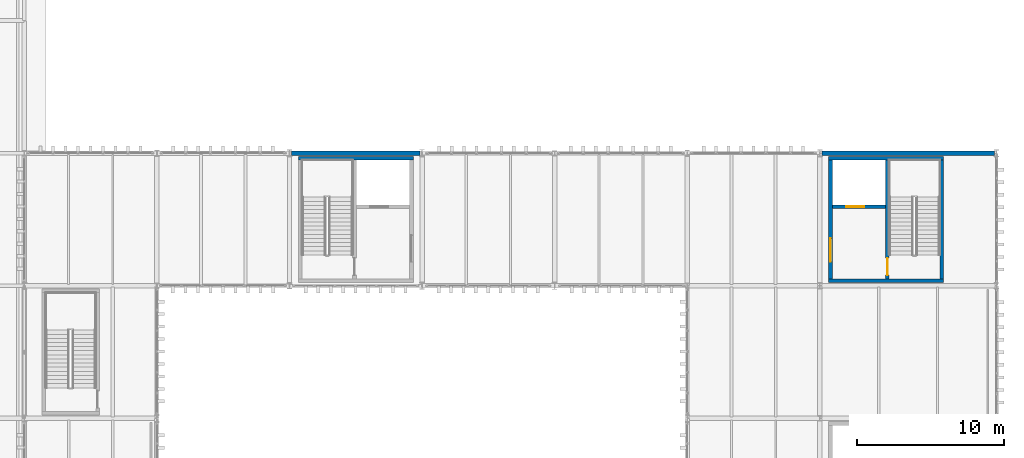
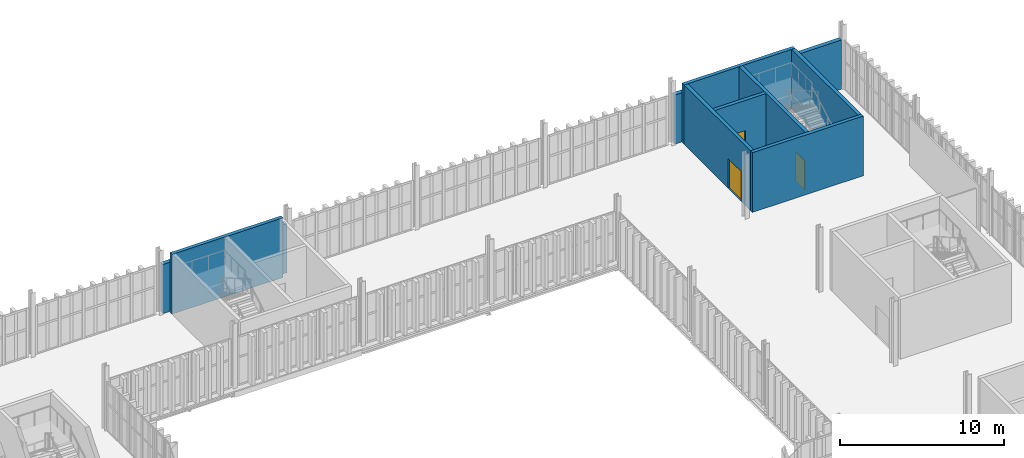
# One storey, part 182 of 196: 9 walls, 3 doors, 3 openings.
"""IFC4 building model written with IfcOpenShell, lengths in metres."""

from ifc_helpers import new_model, si_unit, direction, frame, frame_2d, origin, place, context, subcontext, project, spatial, rectangle, extrude, material, layer, layer_set, type_object, element, fill, save


model = new_model("IFC4")

# Units and contexts
model_context = context("Model", 3, precision=1e-05, world=origin(), true_north=direction((0.0, 1.0)))
body_context = subcontext(model_context, "Body", "Model", "MODEL_VIEW")
ifc_project = project(units=[si_unit("LENGTHUNIT", "METRE"), si_unit("AREAUNIT", "SQUARE_METRE"), si_unit("VOLUMEUNIT", "CUBIC_METRE"), si_unit("PLANEANGLEUNIT", "RADIAN"), si_unit("MASSUNIT", "GRAM", prefix="KILO")], contexts=[model_context])

# Site, building, storey
site_placement = place(None, origin())
site = spatial("IfcSite", under=ifc_project, at=site_placement, CompositionType="ELEMENT")
building_placement = place(site_placement, origin())
building = spatial("IfcBuilding", under=site, at=building_placement, Name="Barlavento Convention Centre", CompositionType="ELEMENT")
storey_placement = place(building_placement, frame((0.0, 0.0, 18.0)))
storey = spatial("IfcBuildingStorey", under=building, at=storey_placement, Name="L03", CompositionType="ELEMENT", Elevation=18.0)

# Walls
ifc_material_1 = material(Name="Glazed white architectural terracotta on Concrete C40/50", Category="masonry")
ifc_layer_1 = layer(ifc_material_1, 0.2900390625)
ifc_layer_set_1 = layer_set([ifc_layer_1], Name="ARC-WL-EXT-290")
wall_type_1 = type_object("IfcWallType", Name="ARC-WL-EXT-290", PredefinedType="SOLIDWALL", material=ifc_layer_set_1)
wall_1_placement = place(storey_placement, frame((144.14501953125, 99.0, 0.0), z_axis=(0.0, 0.0, 1.0), x_axis=(1.0, 0.0, 0.0)))
element("IfcWall", 1, at=wall_1_placement, inside=storey, type_object=wall_type_1, Name="L03 exterior wall EW02", PredefinedType="SOLIDWALL", context=body_context, shape_type="SweptSolid", body=[
    extrude(rectangle(XDim=8.7099609375, YDim=0.2900390625, at=frame_2d((4.35498046875, 0.0))), origin(), (0.0, 0.0, 1.0), 3.64990234375),
])
wall_2_placement = place(storey_placement, frame((180.14501953125, 99.0, 0.0), z_axis=(0.0, 0.0, 1.0), x_axis=(1.0, 0.0, 0.0)))
element("IfcWall", 2, at=wall_2_placement, inside=storey, type_object=wall_type_1, Name="L03 exterior wall EW02", PredefinedType="SOLIDWALL", context=body_context, shape_type="SweptSolid", body=[
    extrude(rectangle(XDim=11.7099609375, YDim=0.2900390625, at=frame_2d((5.85498046875, 0.0))), origin(), (0.0, 0.0, 1.0), 3.64990234375),
])

# Wall, opening, door
ifc_material_2 = material(Name="Concrete C50/60", Category="concrete")
ifc_layer_2 = layer(ifc_material_2, 0.25)
ifc_layer_set_2 = layer_set([ifc_layer_2], Name="STR-WL-CORE-250")
wall_type_2 = type_object("IfcWallType", Name="STR-WL-CORE-250", PredefinedType="SHEAR", material=ifc_layer_set_2)
wall_3_placement = place(storey_placement, frame((180.72509765625, 90.469970703125, 0.0), z_axis=(0.0, 0.0, 1.0), x_axis=(0.0, 1.0, 0.0)))
wall_3 = element("IfcWall", 3, at=wall_3_placement, inside=storey, type_object=wall_type_2, Name="L03 interior wall CW-02", PredefinedType="SHEAR", context=body_context, shape_type="SweptSolid", body=[
    extrude(rectangle(XDim=8.06005859375, YDim=0.25, at=frame_2d((4.030029296875, 0.0))), origin(), (0.0, 0.0, 1.0), 4.43994140625),
])
opening_1_placement = place(wall_3_placement, frame((1.14990234375, 0.0, 0.0)))
opening_1 = element("IfcOpeningElement", 4, at=opening_1_placement, cuts=wall_3, Name="Opening FD-02", PredefinedType="OPENING", context=body_context, shape_type="SweptSolid", body=[
    extrude(rectangle(XDim=1.60009765625, YDim=2.199951171875, at=frame_2d((0.800048828125, 1.10009765625))), frame((0.0, 0.135009765625, 0.0), z_axis=(0.0, -1.0, 0.0), x_axis=(1.0, 0.0, 0.0)), (0.0, 0.0, 1.0), 0.27001953125),
])
ifc_material_3 = material(Name="Painted galvanized steel", Category="steel")
door_type_1 = type_object("IfcDoorType", Name="ARC-DR-FIRE-1600X2200", OperationType="DOUBLE_DOOR_SINGLE_SWING", PredefinedType="DOOR", material=ifc_material_3)
door_1_placement = place(opening_1_placement, origin())
door_1 = element("IfcDoor", 5, at=door_1_placement, inside=storey, type_object=door_type_1, Name="DR-INT-L03-0132 L03 LP6 lobby fire door", OperationType="DOUBLE_DOOR_SINGLE_SWING", OverallHeight=2.199951171875, OverallWidth=1.60009765625, PredefinedType="DOOR", context=body_context, shape_type="SweptSolid", body=[
    extrude(rectangle(XDim=1.60009765625, YDim=2.199951171875, at=frame_2d((0.800048828125, 1.10009765625))), frame((0.0, 0.02490234375, 0.0), z_axis=(0.0, -1.0, 0.0), x_axis=(1.0, 0.0, 0.0)), (0.0, 0.0, 1.0), 0.050048828125),
])
fill(opening_1, door_1)

# Walls
wall_4_placement = place(storey_placement, frame((188.27490234375, 90.469970703125, 0.0), z_axis=(0.0, 0.0, 1.0), x_axis=(0.0, 1.0, 0.0)))
element("IfcWall", 6, at=wall_4_placement, inside=storey, type_object=wall_type_2, Name="L03 interior wall CW-02", PredefinedType="SHEAR", context=body_context, shape_type="SweptSolid", body=[
    extrude(rectangle(XDim=8.06005859375, YDim=0.25, at=frame_2d((4.030029296875, 0.0))), origin(), (0.0, 0.0, 1.0), 4.43994140625),
])
for number, where, z_axis, x_axis, name in (
    (7, (180.60009765625, 90.344970703125, 0.0), (0.0, 0.0, 1.0), (1.0, 0.0, 0.0), "L03 interior wall CW-02"),
    (8, (180.60009765625, 98.655029296875, 0.0), (0.0, 0.0, 1.0), (1.0, 0.0, 0.0), "L03 interior wall CW-02"),
):
    element("IfcWall", number, at=place(storey_placement, frame(where, z_axis=z_axis, x_axis=x_axis)), inside=storey, type_object=wall_type_2, Name=name, PredefinedType="SHEAR", context=body_context, shape_type="SweptSolid", body=[
        extrude(rectangle(XDim=7.7998046875, YDim=0.25, at=frame_2d((3.89990234375, 0.0))), origin(), (0.0, 0.0, 1.0), 4.43994140625),
    ])

# Wall, opening, door
wall_5_placement = place(storey_placement, frame((184.5849609375, 90.469970703125, 0.0), z_axis=(0.0, 0.0, 1.0), x_axis=(0.0, 1.0, 0.0)))
wall_5 = element("IfcWall", 9, at=wall_5_placement, inside=storey, type_object=wall_type_2, Name="L03 interior wall CW-02", PredefinedType="SHEAR", context=body_context, shape_type="SweptSolid", body=[
    extrude(rectangle(XDim=8.06005859375, YDim=0.25, at=frame_2d((4.030029296875, 0.0))), origin(), (0.0, 0.0, 1.0), 4.43994140625),
])
opening_2_placement = place(wall_5_placement, frame((0.25, 0.0, 0.0)))
opening_2 = element("IfcOpeningElement", 10, at=opening_2_placement, cuts=wall_5, Name="Opening FD-03", PredefinedType="OPENING", context=body_context, shape_type="SweptSolid", body=[
    extrude(rectangle(XDim=1.14990234375, YDim=2.14990234375, at=frame_2d((0.574951171875, 1.074951171875))), frame((0.0, 0.135009765625, 0.0), z_axis=(0.0, -1.0, 0.0), x_axis=(1.0, 0.0, 0.0)), (0.0, 0.0, 1.0), 0.27001953125),
])
door_type_2 = type_object("IfcDoorType", Name="ARC-DR-FIRE-1150X2150", OperationType="NOTDEFINED", PredefinedType="DOOR", material=ifc_material_3)
door_2_placement = place(opening_2_placement, origin())
door_2 = element("IfcDoor", 11, at=door_2_placement, inside=storey, type_object=door_type_2, Name="DR-INT-L03-0130 L03 ST08 stair fire door FD-03", OperationType="SINGLE_SWING_RIGHT", OverallHeight=2.14990234375, OverallWidth=1.14990234375, PredefinedType="DOOR", context=body_context, shape_type="SweptSolid", body=[
    extrude(rectangle(XDim=1.14990234375, YDim=2.14990234375, at=frame_2d((0.574951171875, 1.074951171875))), frame((0.0, 0.02490234375, 0.0), z_axis=(0.0, -1.0, 0.0), x_axis=(1.0, 0.0, 0.0)), (0.0, 0.0, 1.0), 0.050048828125),
])
fill(opening_2, door_2)

wall_6_placement = place(storey_placement, frame((180.85009765625, 95.3701171875, 0.0), z_axis=(0.0, 0.0, 1.0), x_axis=(1.0, 0.0, 0.0)))
wall_6 = element("IfcWall", 12, at=wall_6_placement, inside=storey, type_object=wall_type_2, Name="L03 interior wall CW-02", PredefinedType="SHEAR", context=body_context, shape_type="SweptSolid", body=[
    extrude(rectangle(XDim=3.60986328125, YDim=0.25, at=frame_2d((1.804931640625, 0.0))), origin(), (0.0, 0.0, 1.0), 4.43994140625),
])
opening_3_placement = place(wall_6_placement, frame((0.949951171875, 0.0, 0.0)))
opening_3 = element("IfcOpeningElement", 13, at=opening_3_placement, cuts=wall_6, Name="Opening LD-01", PredefinedType="OPENING", context=body_context, shape_type="SweptSolid", body=[
    extrude(rectangle(XDim=1.199951171875, YDim=2.199951171875, at=frame_2d((0.60009765625, 1.10009765625))), frame((0.0, 0.135009765625, 0.0), z_axis=(0.0, -1.0, 0.0), x_axis=(1.0, 0.0, 0.0)), (0.0, 0.0, 1.0), 0.27001953125),
])
ifc_material_4 = material(Name="Brushed stainless steel", Category="steel")
door_type_3 = type_object("IfcDoorType", Name="ARC-DR-LIFT-1200X2200", OperationType="DOUBLE_DOOR_SLIDING", PredefinedType="DOOR", material=ifc_material_4)
door_3_placement = place(opening_3_placement, origin())
door_3 = element("IfcDoor", 14, at=door_3_placement, inside=storey, type_object=door_type_3, Name="DR-INT-L03-0131 LP6 lift sliding landing door", OperationType="DOUBLE_DOOR_SLIDING", OverallHeight=2.199951171875, OverallWidth=1.199951171875, PredefinedType="DOOR", context=body_context, shape_type="SweptSolid", body=[
    extrude(rectangle(XDim=1.199951171875, YDim=2.199951171875, at=frame_2d((0.60009765625, 1.10009765625))), frame((0.0, 0.02490234375, 0.0), z_axis=(0.0, -1.0, 0.0), x_axis=(1.0, 0.0, 0.0)), (0.0, 0.0, 1.0), 0.050048828125),
])
fill(opening_3, door_3)

# Wall
wall_7_placement = place(storey_placement, frame((144.60009765625, 98.655029296875, 0.0), z_axis=(0.0, 0.0, 1.0), x_axis=(1.0, 0.0, 0.0)))
element("IfcWall", 15, at=wall_7_placement, inside=storey, type_object=wall_type_2, Name="L03 interior wall CW-02", PredefinedType="SHEAR", context=body_context, shape_type="SweptSolid", body=[
    extrude(rectangle(XDim=7.7998046875, YDim=0.25, at=frame_2d((3.89990234375, 0.0))), origin(), (0.0, 0.0, 1.0), 4.43994140625),
])

save(model, "model.ifc")
